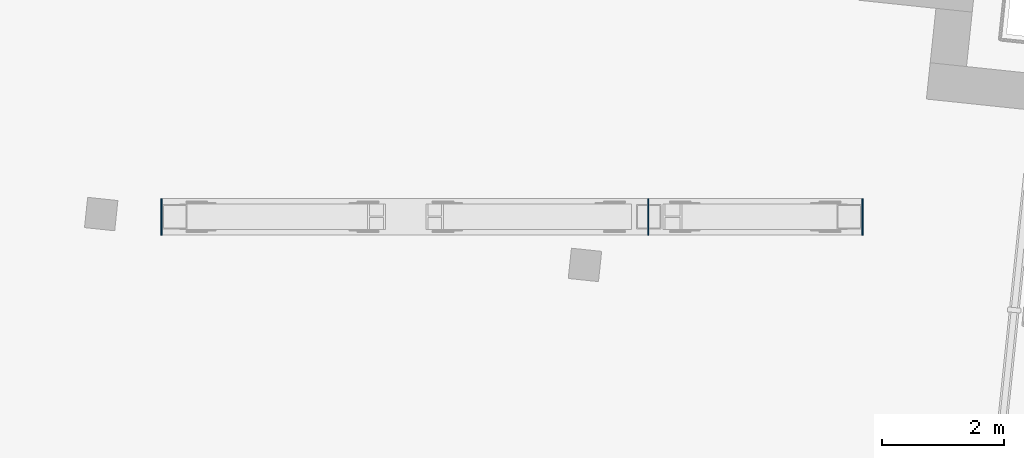
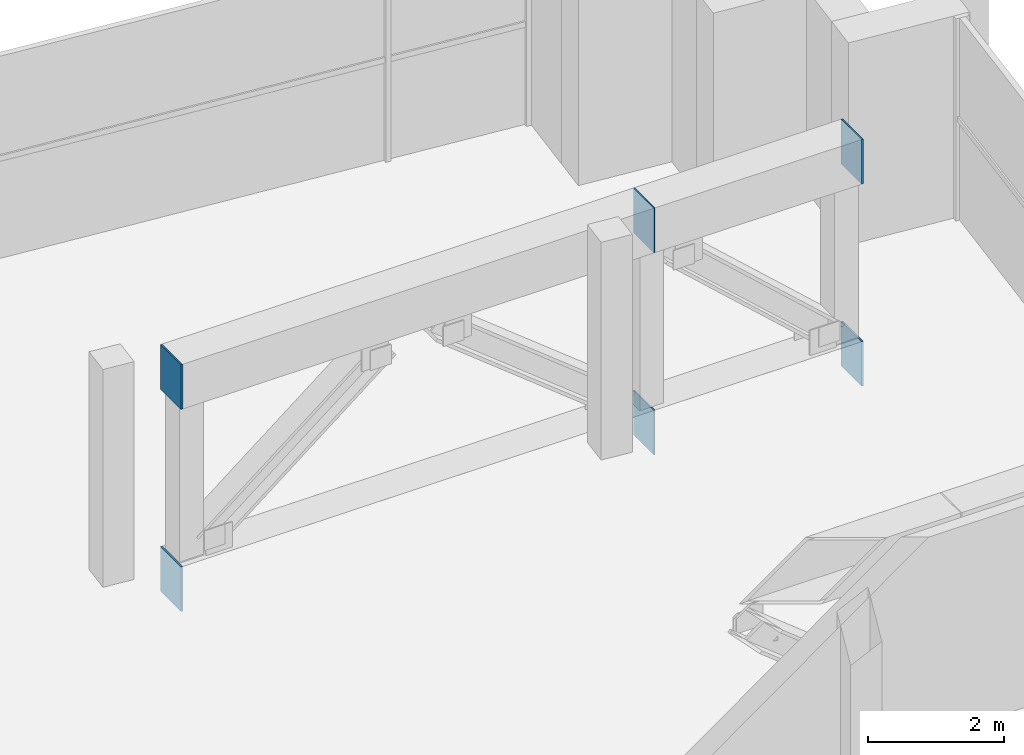
# One storey, part 10 of 18: 6 discrete accessories.
"""IFC4 building model written with IfcOpenShell, lengths in metres."""

from ifc_helpers import new_model, si_unit, direction, frame, origin, origin_2d, place, context, subcontext, project, spatial, rectangle, extrude, element, save


model = new_model("IFC4")

# Units and contexts
model_context = context("Model", 3, precision=1e-05, world=origin(), true_north=direction((0.0, 1.0)))
body_context = subcontext(model_context, "Body", "Model", "MODEL_VIEW")
ifc_project = project(units=[si_unit("LENGTHUNIT", "METRE"), si_unit("AREAUNIT", "SQUARE_METRE"), si_unit("VOLUMEUNIT", "CUBIC_METRE"), si_unit("PLANEANGLEUNIT", "RADIAN"), si_unit("MASSUNIT", "GRAM", prefix="KILO")], contexts=[model_context])

# Site, building, storey
site_placement = place(None, origin())
site = spatial("IfcSite", under=ifc_project, at=site_placement, CompositionType="ELEMENT")
building_placement = place(site_placement, origin())
building = spatial("IfcBuilding", under=site, at=building_placement, Name="Vidyagriha Tower", CompositionType="ELEMENT")
storey_placement = place(building_placement, frame((0.0, 0.0, 249.199951171875)))
storey = spatial("IfcBuildingStorey", under=building, at=storey_placement, Name="L64", CompositionType="ELEMENT", Elevation=249.199951171875)

# Discrete accessories
discrete_accessory_1_placement = place(storey_placement, frame((17.985107421875, 11.0, -0.7998046875), z_axis=(0.0, 0.0, 1.0), x_axis=(-1.0, 0.0, 0.0)))
element("IfcDiscreteAccessory", 1, at=discrete_accessory_1_placement, inside=storey, Name="Chord end plate", ObjectType="END PLATE", PredefinedType="USERDEFINED", context=body_context, shape_type="SweptSolid", body=[
    extrude(rectangle(XDim=0.030029296875, YDim=0.60009765625, at=origin_2d()), origin(), (0.0, 0.0, 1.0), 0.800048828125),
])
discrete_accessory_2_placement = place(storey_placement, frame((29.514892578125, 11.0, -0.7998046875)))
element("IfcDiscreteAccessory", 2, at=discrete_accessory_2_placement, inside=storey, Name="Chord end plate", ObjectType="END PLATE", PredefinedType="USERDEFINED", context=body_context, shape_type="SweptSolid", body=[
    extrude(rectangle(XDim=0.030029296875, YDim=0.60009765625, at=origin_2d()), origin(), (0.0, 0.0, 1.0), 0.800048828125),
])
discrete_accessory_3_placement = place(storey_placement, frame((17.985107421875, 11.0, 2.81982421875), z_axis=(0.0, 0.0, 1.0), x_axis=(-1.0, 0.0, 0.0)))
element("IfcDiscreteAccessory", 3, at=discrete_accessory_3_placement, inside=storey, Name="Chord end plate", ObjectType="END PLATE", PredefinedType="USERDEFINED", context=body_context, shape_type="SweptSolid", body=[
    extrude(rectangle(XDim=0.030029296875, YDim=0.60009765625, at=origin_2d()), origin(), (0.0, 0.0, 1.0), 0.800048828125),
])
discrete_accessory_4_placement = place(storey_placement, frame((29.514892578125, 11.0, 2.81982421875)))
element("IfcDiscreteAccessory", 4, at=discrete_accessory_4_placement, inside=storey, Name="Chord end plate", ObjectType="END PLATE", PredefinedType="USERDEFINED", context=body_context, shape_type="SweptSolid", body=[
    extrude(rectangle(XDim=0.030029296875, YDim=0.60009765625, at=origin_2d()), origin(), (0.0, 0.0, 1.0), 0.800048828125),
])
for number, where, name in (
    (5, (25.990234375, 11.0, -0.7998046875), "End plate ASTM A572 Grade 50 20mm"),
    (6, (25.990234375, 11.0, 2.81982421875), "End plate ASTM A572 Grade 50 20mm"),
):
    element("IfcDiscreteAccessory", number, at=place(storey_placement, frame(where)), inside=storey, Name=name, ObjectType="END PLATE", PredefinedType="USERDEFINED", context=body_context, shape_type="SweptSolid", body=[
        extrude(rectangle(XDim=0.02001953125, YDim=0.60009765625, at=origin_2d()), origin(), (0.0, 0.0, 1.0), 0.800048828125),
    ])

save(model, "model.ifc")
